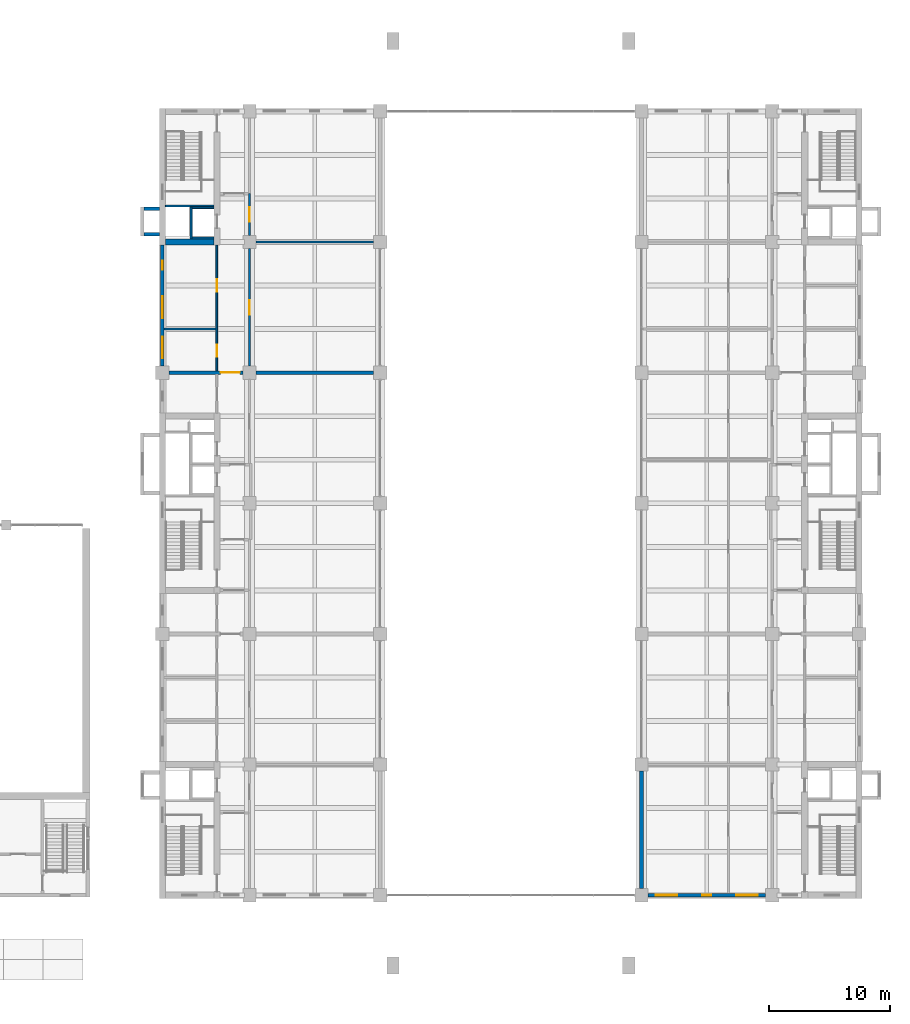
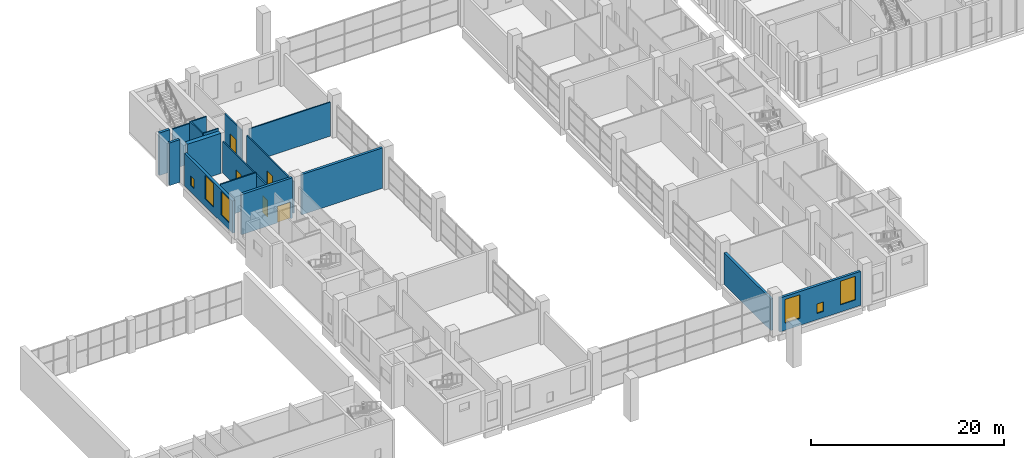
# One storey, part 20 of 33: 17 walls, 6 windows, 5 doors, 11 openings.
"""IFC4 building model written with IfcOpenShell, lengths in metres."""

from ifc_helpers import new_model, si_unit, direction, frame, frame_2d, origin, place, context, subcontext, project, spatial, rectangle, extrude, material, layer, layer_set, type_object, element, fill, save


model = new_model("IFC4")

# Units and contexts
model_context = context("Model", 3, precision=1e-05, world=origin(), true_north=direction((0.0, 1.0)))
body_context = subcontext(model_context, "Body", "Model", "MODEL_VIEW")
ifc_project = project(units=[si_unit("LENGTHUNIT", "METRE"), si_unit("AREAUNIT", "SQUARE_METRE"), si_unit("VOLUMEUNIT", "CUBIC_METRE"), si_unit("PLANEANGLEUNIT", "RADIAN"), si_unit("MASSUNIT", "GRAM", prefix="KILO")], contexts=[model_context])

# Site, building, storey
site_placement = place(None, origin())
site = spatial("IfcSite", under=ifc_project, at=site_placement, CompositionType="ELEMENT")
building_placement = place(site_placement, origin())
building = spatial("IfcBuilding", under=site, at=building_placement, Name="Basin Gate Institute", CompositionType="ELEMENT")
storey_placement = place(building_placement, frame((0.0, 0.0, 6.0)))
storey = spatial("IfcBuildingStorey", under=building, at=storey_placement, Name="L01", CompositionType="ELEMENT", Elevation=6.0)

# Wall
ifc_material_1 = material(Name="Fire-resisting board wall assembly")
ifc_layer_1 = layer(ifc_material_1, 0.300048828125)
ifc_layer_set_1 = layer_set([ifc_layer_1], Name="Atrium enclosure wall EW4")
wall_type_1 = type_object("IfcWallType", Name="Atrium enclosure wall EW4", PredefinedType="STANDARD", material=ifc_layer_set_1)
wall_1_placement = place(storey_placement, frame((100.800048828125, 35.64990234375, 0.0), z_axis=(0.0, 0.0, 1.0), x_axis=(0.0, 1.0, 0.0)))
element("IfcWall", 1, at=wall_1_placement, inside=storey, type_object=wall_type_1, material=ifc_layer_set_1, Name="Atrium enclosure wall E wing bay 1 L01", PredefinedType="STANDARD", context=body_context, shape_type="SweptSolid", body=[
    extrude(rectangle(XDim=9.7001953125, YDim=0.300048828125, at=frame_2d((4.85009765625, 0.0))), origin(), (0.0, 0.0, 1.0), 4.0),
])

# Wall, openings, windows
ifc_material_2 = material(Name="Aluminium-faced insulated panel wall", Category="aluminium")
ifc_layer_2 = layer(ifc_material_2, 0.300048828125)
ifc_layer_set_2 = layer_set([ifc_layer_2], Name="External wall EW1 EI 120")
wall_type_2 = type_object("IfcWallType", Name="External wall EW1 EI 120", PredefinedType="STANDARD", material=ifc_layer_set_2)
wall_2_placement = place(storey_placement, frame((61.199951171875, 78.85009765625, 0.0), z_axis=(0.0, 0.0, 1.0), x_axis=(0.0, 1.0, 0.0)))
wall_2 = element("IfcWall", 2, at=wall_2_placement, inside=storey, type_object=wall_type_2, material=ifc_layer_set_2, Name="External wall W facade L01 4", PredefinedType="STANDARD", context=body_context, shape_type="SweptSolid", body=[
    extrude(rectangle(XDim=10.0, YDim=0.300048828125, at=frame_2d((5.0, 0.0))), origin(), (0.0, 0.0, 1.0), 4.10009765625),
])
opening_1_placement = place(wall_2_placement, frame((0.625, 0.0, 0.89990234375)))
opening_1 = element("IfcOpeningElement", 3, at=opening_1_placement, cuts=wall_2, Name="Opening WN2", PredefinedType="OPENING", context=body_context, shape_type="SweptSolid", body=[
    extrude(rectangle(XDim=1.800048828125, YDim=3.0, at=frame_2d((0.89990234375, 1.5))), frame((0.0, 0.16015625, 0.0), z_axis=(0.0, -1.0, 0.0), x_axis=(1.0, 0.0, 0.0)), (0.0, 0.0, 1.0), 0.320068359375),
])
opening_2_placement = place(wall_2_placement, frame((3.949951171875, 0.0, 0.89990234375)))
opening_2 = element("IfcOpeningElement", 4, at=opening_2_placement, cuts=wall_2, Name="Opening WN2", PredefinedType="OPENING", context=body_context, shape_type="SweptSolid", body=[
    extrude(rectangle(XDim=1.800048828125, YDim=3.0, at=frame_2d((0.89990234375, 1.5))), frame((0.0, 0.16015625, 0.0), z_axis=(0.0, -1.0, 0.0), x_axis=(1.0, 0.0, 0.0)), (0.0, 0.0, 1.0), 0.320068359375),
])
opening_3_placement = place(wall_2_placement, frame((7.949951171875, 0.0, 0.800048828125)))
opening_3 = element("IfcOpeningElement", 5, at=opening_3_placement, cuts=wall_2, Name="Opening WN3", PredefinedType="OPENING", context=body_context, shape_type="SweptSolid", body=[
    extrude(rectangle(XDim=0.75, YDim=1.199951171875, at=frame_2d((0.375, 0.60009765625))), frame((0.0, 0.16015625, 0.0), z_axis=(0.0, -1.0, 0.0), x_axis=(1.0, 0.0, 0.0)), (0.0, 0.0, 1.0), 0.320068359375),
])
ifc_material_3 = material(Name="Aluminium-framed double glazing", Category="aluminium")
window_type_1 = type_object("IfcWindowType", Name="Emergency entry panel WN3", PartitioningType="SINGLE_PANEL", PredefinedType="WINDOW", material=ifc_material_3)
window_1_placement = place(opening_3_placement, origin())
window_1 = element("IfcWindow", 6, at=window_1_placement, inside=storey, type_object=window_type_1, material=ifc_material_3, Name="Emergency entry panel W facade L01 bay 15", OverallHeight=1.199951171875, OverallWidth=0.75, PartitioningType="SINGLE_PANEL", PredefinedType="WINDOW", context=body_context, shape_type="SweptSolid", body=[
    extrude(rectangle(XDim=0.75, YDim=1.199951171875, at=frame_2d((0.375, 0.60009765625))), frame((0.0, 0.030029296875, 0.0), z_axis=(0.0, -1.0, 0.0), x_axis=(1.0, 0.0, 0.0)), (0.0, 0.0, 1.0), 0.06005859375),
])
fill(opening_3, window_1)
ifc_material_4 = material(Name="Aluminium-framed double glazing", Category="aluminium")
window_type_2 = type_object("IfcWindowType", Name="Podium window WN2", PartitioningType="SINGLE_PANEL", PredefinedType="WINDOW", material=ifc_material_4)
window_2_placement = place(opening_1_placement, origin())
window_2 = element("IfcWindow", 7, at=window_2_placement, inside=storey, type_object=window_type_2, material=ifc_material_4, Name="Podium window W facade L01 bay 13", OverallHeight=3.0, OverallWidth=1.800048828125, PartitioningType="SINGLE_PANEL", PredefinedType="WINDOW", context=body_context, shape_type="SweptSolid", body=[
    extrude(rectangle(XDim=1.800048828125, YDim=3.0, at=frame_2d((0.89990234375, 1.5))), frame((0.0, 0.030029296875, 0.0), z_axis=(0.0, -1.0, 0.0), x_axis=(1.0, 0.0, 0.0)), (0.0, 0.0, 1.0), 0.06005859375),
])
fill(opening_1, window_2)
window_3_placement = place(opening_2_placement, origin())
window_3 = element("IfcWindow", 8, at=window_3_placement, inside=storey, type_object=window_type_2, material=ifc_material_4, Name="Podium window W facade L01 bay 14", OverallHeight=3.0, OverallWidth=1.800048828125, PartitioningType="SINGLE_PANEL", PredefinedType="WINDOW", context=body_context, shape_type="SweptSolid", body=[
    extrude(rectangle(XDim=1.800048828125, YDim=3.0, at=frame_2d((0.89990234375, 1.5))), frame((0.0, 0.030029296875, 0.0), z_axis=(0.0, -1.0, 0.0), x_axis=(1.0, 0.0, 0.0)), (0.0, 0.0, 1.0), 0.06005859375),
])
fill(opening_2, window_3)

wall_3_placement = place(storey_placement, frame((111.050048828125, 35.10009765625, 0.0), z_axis=(0.0, 0.0, 1.0), x_axis=(-1.0, 0.0, 0.0)))
wall_3 = element("IfcWall", 9, at=wall_3_placement, inside=storey, type_object=wall_type_2, material=ifc_layer_set_2, Name="External end wall E wing south L01 2", PredefinedType="STANDARD", context=body_context, shape_type="SweptSolid", body=[
    extrude(rectangle(XDim=9.699951171875, YDim=0.300048828125, at=frame_2d((4.85009765625, 0.0))), origin(), (0.0, 0.0, 1.0), 4.300048828125),
])
opening_4_placement = place(wall_3_placement, frame((0.625, 0.0, 0.89990234375)))
opening_4 = element("IfcOpeningElement", 10, at=opening_4_placement, cuts=wall_3, Name="Opening WN2", PredefinedType="OPENING", context=body_context, shape_type="SweptSolid", body=[
    extrude(rectangle(XDim=1.800048828125, YDim=3.0, at=frame_2d((0.89990234375, 1.5))), frame((0.0, 0.16015625, 0.0), z_axis=(0.0, -1.0, 0.0), x_axis=(1.0, 0.0, 0.0)), (0.0, 0.0, 1.0), 0.320068359375),
])
opening_5_placement = place(wall_3_placement, frame((4.47509765625, 0.0, 0.800048828125)))
opening_5 = element("IfcOpeningElement", 11, at=opening_5_placement, cuts=wall_3, Name="Opening WN3", PredefinedType="OPENING", context=body_context, shape_type="SweptSolid", body=[
    extrude(rectangle(XDim=0.75, YDim=1.199951171875, at=frame_2d((0.375, 0.60009765625))), frame((0.0, 0.16015625, 0.0), z_axis=(0.0, -1.0, 0.0), x_axis=(1.0, 0.0, 0.0)), (0.0, 0.0, 1.0), 0.320068359375),
])
opening_6_placement = place(wall_3_placement, frame((7.27490234375, 0.0, 0.89990234375)))
opening_6 = element("IfcOpeningElement", 12, at=opening_6_placement, cuts=wall_3, Name="Opening WN2", PredefinedType="OPENING", context=body_context, shape_type="SweptSolid", body=[
    extrude(rectangle(XDim=1.800048828125, YDim=3.0, at=frame_2d((0.89990234375, 1.5))), frame((0.0, 0.16015625, 0.0), z_axis=(0.0, -1.0, 0.0), x_axis=(1.0, 0.0, 0.0)), (0.0, 0.0, 1.0), 0.320068359375),
])
window_4_placement = place(opening_5_placement, origin())
window_4 = element("IfcWindow", 13, at=window_4_placement, inside=storey, type_object=window_type_1, material=ifc_material_3, Name="Emergency entry panel E wing end S L01 bay 2", OverallHeight=1.199951171875, OverallWidth=0.75, PartitioningType="SINGLE_PANEL", PredefinedType="WINDOW", context=body_context, shape_type="SweptSolid", body=[
    extrude(rectangle(XDim=0.75, YDim=1.199951171875, at=frame_2d((0.375, 0.60009765625))), frame((0.0, 0.030029296875, 0.0), z_axis=(0.0, -1.0, 0.0), x_axis=(1.0, 0.0, 0.0)), (0.0, 0.0, 1.0), 0.06005859375),
])
fill(opening_5, window_4)
window_5_placement = place(opening_4_placement, origin())
window_5 = element("IfcWindow", 14, at=window_5_placement, inside=storey, type_object=window_type_2, material=ifc_material_4, Name="Podium window E wing end S L01 bay 1", OverallHeight=3.0, OverallWidth=1.800048828125, PartitioningType="SINGLE_PANEL", PredefinedType="WINDOW", context=body_context, shape_type="SweptSolid", body=[
    extrude(rectangle(XDim=1.800048828125, YDim=3.0, at=frame_2d((0.89990234375, 1.5))), frame((0.0, 0.030029296875, 0.0), z_axis=(0.0, -1.0, 0.0), x_axis=(1.0, 0.0, 0.0)), (0.0, 0.0, 1.0), 0.06005859375),
])
fill(opening_4, window_5)
window_6_placement = place(opening_6_placement, origin())
window_6 = element("IfcWindow", 15, at=window_6_placement, inside=storey, type_object=window_type_2, material=ifc_material_4, Name="Podium window E wing end S L01 bay 3", OverallHeight=3.0, OverallWidth=1.800048828125, PartitioningType="SINGLE_PANEL", PredefinedType="WINDOW", context=body_context, shape_type="SweptSolid", body=[
    extrude(rectangle(XDim=1.800048828125, YDim=3.0, at=frame_2d((0.89990234375, 1.5))), frame((0.0, 0.030029296875, 0.0), z_axis=(0.0, -1.0, 0.0), x_axis=(1.0, 0.0, 0.0)), (0.0, 0.0, 1.0), 0.06005859375),
])
fill(opening_6, window_6)

# Wall, openings, doors
ifc_material_5 = material(Name="Gypsum board on steel stud", Category="steel")
ifc_layer_3 = layer(ifc_material_5, 0.14990234375)
ifc_layer_set_3 = layer_set([ifc_layer_3], Name="Gypsum board on steel stud")
wall_type_3 = type_object("IfcWallType", Name="Partition PW1 150 EI 60", PredefinedType="PARTITIONING", material=ifc_layer_set_3)
wall_4_placement = place(storey_placement, frame((65.699951171875, 78.449951171875, 0.0), z_axis=(0.0, 0.0, 1.0), x_axis=(0.0, 1.0, 0.0)))
wall_4 = element("IfcWall", 16, at=wall_4_placement, inside=storey, type_object=wall_type_3, material=ifc_layer_set_3, Name="Corridor wall PW1 L01", PredefinedType="PARTITIONING", context=body_context, shape_type="SweptSolid", body=[
    extrude(rectangle(XDim=10.400146484375, YDim=0.14990234375, at=frame_2d((5.2001953125, 0.0))), origin(), (0.0, 0.0, 1.0), 4.0),
])
opening_7_placement = place(wall_4_placement, frame((1.14990234375, 0.0, 0.0)))
opening_7 = element("IfcOpeningElement", 17, at=opening_7_placement, cuts=wall_4, Name="Opening DR083", PredefinedType="OPENING", context=body_context, shape_type="SweptSolid", body=[
    extrude(rectangle(XDim=1.0, YDim=2.10009765625, at=frame_2d((0.5, 1.050048828125))), frame((0.0, 0.0849609375, 0.0), z_axis=(0.0, -1.0, 0.0), x_axis=(1.0, 0.0, 0.0)), (0.0, 0.0, 1.0), 0.169921875),
])
opening_8_placement = place(wall_4_placement, frame((6.550048828125, 0.0, 0.0)))
opening_8 = element("IfcOpeningElement", 18, at=opening_8_placement, cuts=wall_4, Name="Opening DR084", PredefinedType="OPENING", context=body_context, shape_type="SweptSolid", body=[
    extrude(rectangle(XDim=1.0, YDim=2.10009765625, at=frame_2d((0.5, 1.050048828125))), frame((0.0, 0.0849609375, 0.0), z_axis=(0.0, -1.0, 0.0), x_axis=(1.0, 0.0, 0.0)), (0.0, 0.0, 1.0), 0.169921875),
])
ifc_material_6 = material(Name="Timber fire door", Category="wood")
door_type_1 = type_object("IfcDoorType", Name="FD30 Office door D1", OperationType="NOTDEFINED", PredefinedType="DOOR", material=ifc_material_6)
door_1_placement = place(opening_7_placement, origin())
door_1 = element("IfcDoor", 19, at=door_1_placement, inside=storey, type_object=door_type_1, material=ifc_material_6, Name="Door to Write-up Office 0106 L01", OperationType="SINGLE_SWING_LEFT", OverallHeight=2.10009765625, OverallWidth=1.0, PredefinedType="DOOR", context=body_context, shape_type="SweptSolid", body=[
    extrude(rectangle(XDim=1.0, YDim=2.10009765625, at=frame_2d((0.5, 1.050048828125))), frame((0.0, 0.02490234375, 0.0), z_axis=(0.0, -1.0, 0.0), x_axis=(1.0, 0.0, 0.0)), (0.0, 0.0, 1.0), 0.050048828125),
])
fill(opening_7, door_1)
door_2_placement = place(opening_8_placement, origin())
door_2 = element("IfcDoor", 20, at=door_2_placement, inside=storey, type_object=door_type_1, material=ifc_material_6, Name="Door to Write-up Office 0107 L01", OperationType="SINGLE_SWING_RIGHT", OverallHeight=2.10009765625, OverallWidth=1.0, PredefinedType="DOOR", context=body_context, shape_type="SweptSolid", body=[
    extrude(rectangle(XDim=1.0, YDim=2.10009765625, at=frame_2d((0.5, 1.050048828125))), frame((0.0, 0.02490234375, 0.0), z_axis=(0.0, -1.0, 0.0), x_axis=(1.0, 0.0, 0.0)), (0.0, 0.0, 1.0), 0.050048828125),
])
fill(opening_8, door_2)

# Wall, opening, door
wall_5_placement = place(storey_placement, frame((68.39990234375, 78.85009765625, 0.0), z_axis=(0.0, 0.0, 1.0), x_axis=(0.0, 1.0, 0.0)))
wall_5 = element("IfcWall", 21, at=wall_5_placement, inside=storey, type_object=wall_type_3, material=ifc_layer_set_3, Name="Laboratory corridor wall PW1 L01", PredefinedType="PARTITIONING", context=body_context, shape_type="SweptSolid", body=[
    extrude(rectangle(XDim=9.699951171875, YDim=0.14990234375, at=frame_2d((4.85009765625, 0.0))), origin(), (0.0, 0.0, 1.0), 4.0),
])
opening_9_placement = place(wall_5_placement, frame((4.25, 0.0, 0.0)))
opening_9 = element("IfcOpeningElement", 22, at=opening_9_placement, cuts=wall_5, Name="Opening DR078", PredefinedType="OPENING", context=body_context, shape_type="SweptSolid", body=[
    extrude(rectangle(XDim=1.199951171875, YDim=2.10009765625, at=frame_2d((0.60009765625, 1.050048828125))), frame((0.0, 0.0849609375, 0.0), z_axis=(0.0, -1.0, 0.0), x_axis=(1.0, 0.0, 0.0)), (0.0, 0.0, 1.0), 0.169921875),
])
ifc_material_7 = material(Name="Timber fire door", Category="wood")
door_type_2 = type_object("IfcDoorType", Name="FD30 Laboratory door D2", OperationType="DOUBLE_DOOR_SINGLE_SWING", PredefinedType="DOOR", material=ifc_material_7)
door_3_placement = place(opening_9_placement, frame((1.199951171875, 0.0, 0.0), z_axis=(0.0, 0.0, 1.0), x_axis=(-1.0, 0.0, 0.0)))
door_3 = element("IfcDoor", 23, at=door_3_placement, inside=storey, type_object=door_type_2, material=ifc_material_7, Name="Door to Library 0119 L01", OperationType="DOUBLE_DOOR_SINGLE_SWING", OverallHeight=2.10009765625, OverallWidth=1.199951171875, PredefinedType="DOOR", context=body_context, shape_type="SweptSolid", body=[
    extrude(rectangle(XDim=1.199951171875, YDim=2.10009765625, at=frame_2d((0.60009765625, 1.050048828125))), frame((0.0, 0.02490234375, 0.0), z_axis=(0.0, -1.0, 0.0), x_axis=(1.0, 0.0, 0.0)), (0.0, 0.0, 1.0), 0.050048828125),
])
fill(opening_9, door_3)

wall_6_placement = place(storey_placement, frame((68.39990234375, 89.64990234375, 0.0), z_axis=(0.0, 0.0, 1.0), x_axis=(0.0, 1.0, 0.0)))
wall_6 = element("IfcWall", 24, at=wall_6_placement, inside=storey, type_object=wall_type_3, material=ifc_layer_set_3, Name="Laboratory corridor wall PW1 L01", PredefinedType="PARTITIONING", context=body_context, shape_type="SweptSolid", body=[
    extrude(rectangle(XDim=3.4501953125, YDim=0.14990234375, at=frame_2d((1.72509765625, 0.0))), origin(), (0.0, 0.0, 1.0), 4.0),
])
opening_10_placement = place(wall_6_placement, frame((1.125, 0.0, 0.0)))
opening_10 = element("IfcOpeningElement", 25, at=opening_10_placement, cuts=wall_6, Name="Opening DR079", PredefinedType="OPENING", context=body_context, shape_type="SweptSolid", body=[
    extrude(rectangle(XDim=1.199951171875, YDim=2.10009765625, at=frame_2d((0.60009765625, 1.050048828125))), frame((0.0, 0.0849609375, 0.0), z_axis=(0.0, -1.0, 0.0), x_axis=(1.0, 0.0, 0.0)), (0.0, 0.0, 1.0), 0.169921875),
])
door_4_placement = place(opening_10_placement, frame((1.199951171875, 0.0, 0.0), z_axis=(0.0, 0.0, 1.0), x_axis=(-1.0, 0.0, 0.0)))
door_4 = element("IfcDoor", 26, at=door_4_placement, inside=storey, type_object=door_type_2, material=ifc_material_7, Name="Door to Library 0120 L01", OperationType="DOUBLE_DOOR_SINGLE_SWING", OverallHeight=2.10009765625, OverallWidth=1.199951171875, PredefinedType="DOOR", context=body_context, shape_type="SweptSolid", body=[
    extrude(rectangle(XDim=1.199951171875, YDim=2.10009765625, at=frame_2d((0.60009765625, 1.050048828125))), frame((0.0, 0.02490234375, 0.0), z_axis=(0.0, -1.0, 0.0), x_axis=(1.0, 0.0, 0.0)), (0.0, 0.0, 1.0), 0.050048828125),
])
fill(opening_10, door_4)

# Walls
wall_7_placement = place(storey_placement, frame((68.949951171875, 89.10009765625, 0.0), z_axis=(0.0, 0.0, 1.0), x_axis=(1.0, 0.0, 0.0)))
element("IfcWall", 27, at=wall_7_placement, inside=storey, type_object=wall_type_3, material=ifc_layer_set_3, Name="Laboratory partition PW1 L01", PredefinedType="PARTITIONING", context=body_context, shape_type="SweptSolid", body=[
    extrude(rectangle(XDim=9.699951171875, YDim=0.14990234375, at=frame_2d((4.85009765625, 0.0))), origin(), (0.0, 0.0, 1.0), 4.300048828125),
])
ifc_material_8 = material(Name="Gypsum board on steel stud", Category="steel")
ifc_layer_4 = layer(ifc_material_8, 0.14990234375)
ifc_layer_set_4 = layer_set([ifc_layer_4], Name="Gypsum board on steel stud")
wall_type_4 = type_object("IfcWallType", Name="Partition PW4 150", PredefinedType="PARTITIONING", material=ifc_layer_set_4)
wall_8_placement = place(storey_placement, frame((61.35009765625, 81.89990234375, 0.0), z_axis=(0.0, 0.0, 1.0), x_axis=(1.0, 0.0, 0.0)))
element("IfcWall", 28, at=wall_8_placement, inside=storey, type_object=wall_type_4, material=ifc_layer_set_4, Name="Office partition PW4 L01", PredefinedType="PARTITIONING", context=body_context, shape_type="SweptSolid", body=[
    extrude(rectangle(XDim=4.27490234375, YDim=0.14990234375, at=frame_2d((2.137451171875, 0.0))), origin(), (0.0, 0.0, 1.0), 4.300048828125),
])
ifc_material_9 = material(Name="Concrete 40 MPa", Category="concrete")
ifc_layer_5 = layer(ifc_material_9, 0.14990234375)
ifc_layer_set_5 = layer_set([ifc_layer_5], Name="Concrete 40 MPa")
wall_type_5 = type_object("IfcWallType", Name="Wall LS1 lift shaft enclosure R180", PredefinedType="SOLIDWALL", material=ifc_layer_set_5)
wall_9_placement = place(storey_placement, frame((63.574951171875, 92.0, 0.0), z_axis=(0.0, 0.0, 1.0), x_axis=(0.0, -1.0, 0.0)))
element("IfcWall", 29, at=wall_9_placement, inside=storey, type_object=wall_type_5, material=ifc_layer_set_5, Name="Lift shaft enclosure LP3 L01 UL", PredefinedType="SOLIDWALL", context=body_context, shape_type="SweptSolid", body=[
    extrude(rectangle(XDim=2.64990234375, YDim=0.14990234375, at=frame_2d((1.324951171875, 0.0))), origin(), (0.0, 0.0, 1.0), 5.39990234375),
])
for number, where, z_axis, x_axis, name in (
    (30, (63.64990234375, 91.925048828125, 0.0), (0.0, 0.0, 1.0), (1.0, 0.0, 0.0), "Lift shaft enclosure LP3 L01 RL"),
    (31, (63.64990234375, 89.425048828125, 0.0), (0.0, 0.0, 1.0), (1.0, 0.0, 0.0), "Lift shaft enclosure LP3 L01 RH"),
):
    element("IfcWall", number, at=place(storey_placement, frame(where, z_axis=z_axis, x_axis=x_axis)), inside=storey, type_object=wall_type_5, material=ifc_layer_set_5, Name=name, PredefinedType="SOLIDWALL", context=body_context, shape_type="SweptSolid", body=[
        extrude(rectangle(XDim=1.800048828125, YDim=0.14990234375, at=frame_2d((0.89990234375, 0.0))), origin(), (0.0, 0.0, 1.0), 5.39990234375),
    ])
ifc_material_10 = material(Name="Concrete 40 MPa", Category="concrete")
ifc_layer_6 = layer(ifc_material_10, 0.14990234375)
ifc_layer_set_6 = layer_set([ifc_layer_6], Name="Concrete 40 MPa")
wall_type_6 = type_object("IfcWallType", Name="Wall SE1 stair enclosure R180", PredefinedType="SOLIDWALL", material=ifc_layer_set_6)
wall_10_placement = place(storey_placement, frame((61.449951171875, 92.074951171875, 0.0), z_axis=(0.0, 0.0, 1.0), x_axis=(1.0, 0.0, 0.0)))
element("IfcWall", 32, at=wall_10_placement, inside=storey, type_object=wall_type_6, material=ifc_layer_set_6, Name="Stair enclosure wall ST-WN L01", PredefinedType="SOLIDWALL", context=body_context, shape_type="SweptSolid", body=[
    extrude(rectangle(XDim=4.0, YDim=0.14990234375, at=frame_2d((2.0, 0.0))), origin(), (0.0, 0.0, 1.0), 5.10009765625),
])
ifc_material_11 = material(Name="Concrete 50 MPa", Category="concrete")
ifc_layer_7 = layer(ifc_material_11, 0.300048828125)
ifc_layer_set_7 = layer_set([ifc_layer_7], Name="Concrete 50 MPa")
wall_type_7 = type_object("IfcWallType", Name="Wall SK1 R180", PredefinedType="SHEAR", material=ifc_layer_set_7)
for number, where, z_axis, x_axis, name in (
    (33, (60.949951171875, 89.75, 0.0), (0.0, 0.0, 1.0), (-1.0, 0.0, 0.0), "Spine riser stack wall SK1 WN A L01"),
    (34, (60.949951171875, 91.85009765625, 0.0), (0.0, 0.0, 1.0), (-1.0, 0.0, 0.0), "Spine riser stack wall SK1 WN B L01"),
):
    element("IfcWall", number, at=place(storey_placement, frame(where, z_axis=z_axis, x_axis=x_axis)), inside=storey, type_object=wall_type_7, material=ifc_layer_set_7, Name=name, PredefinedType="SHEAR", context=body_context, shape_type="SweptSolid", body=[
        extrude(rectangle(XDim=1.25, YDim=0.300048828125, at=frame_2d((0.625, 0.0))), origin(), (0.0, 0.0, 1.0), 5.39990234375),
    ])
ifc_material_12 = material(Name="Concrete 60 MPa", Category="concrete")
ifc_layer_8 = layer(ifc_material_12, 0.5)
ifc_layer_set_8 = layer_set([ifc_layer_8], Name="Concrete 60 MPa")
wall_type_8 = type_object("IfcWallType", Name="Wall SW1 R180", PredefinedType="SHEAR", material=ifc_layer_set_8)
wall_11_placement = place(storey_placement, frame((61.449951171875, 89.10009765625, 0.0), z_axis=(0.0, 0.0, 1.0), x_axis=(1.0, 0.0, 0.0)))
element("IfcWall", 35, at=wall_11_placement, inside=storey, type_object=wall_type_8, material=ifc_layer_set_8, Name="WALL/L01/WN/S", PredefinedType="SHEAR", context=body_context, shape_type="SweptSolid", body=[
    extrude(rectangle(XDim=4.0, YDim=0.5, at=frame_2d((2.0, 0.0))), origin(), (0.0, 0.0, 1.0), 5.10009765625),
])

# Wall, opening, door
ifc_material_13 = material(Name="Concrete 50 MPa", Category="concrete")
ifc_layer_9 = layer(ifc_material_13, 0.300048828125)
ifc_layer_set_9 = layer_set([ifc_layer_9], Name="Concrete 50 MPa")
wall_type_9 = type_object("IfcWallType", Name="Wall XW1 R180", PredefinedType="SHEAR", material=ifc_layer_set_9)
wall_12_placement = place(storey_placement, frame((61.75, 78.300048828125, 0.0), z_axis=(0.0, 0.0, 1.0), x_axis=(1.0, 0.0, 0.0)))
wall_12 = element("IfcWall", 36, at=wall_12_placement, inside=storey, type_object=wall_type_9, material=ifc_layer_set_9, Name="WALL/L01/WXE/1", PredefinedType="SHEAR", context=body_context, shape_type="SweptSolid", body=[
    extrude(rectangle(XDim=6.10009765625, YDim=0.300048828125, at=frame_2d((3.050048828125, 0.0))), origin(), (0.0, 0.0, 1.0), 5.10009765625),
])
opening_11_placement = place(wall_12_placement, frame((4.262451171875, 0.0, 0.0)))
opening_11 = element("IfcOpeningElement", 37, at=opening_11_placement, cuts=wall_12, Name="Opening DR091", PredefinedType="OPENING", context=body_context, shape_type="SweptSolid", body=[
    extrude(rectangle(XDim=1.60009765625, YDim=2.10009765625, at=frame_2d((0.800048828125, 1.050048828125))), frame((0.0, 0.16015625, 0.0), z_axis=(0.0, -1.0, 0.0), x_axis=(1.0, 0.0, 0.0)), (0.0, 0.0, 1.0), 0.320068359375),
])
ifc_material_14 = material(Name="Steel fire door", Category="steel")
door_type_3 = type_object("IfcDoorType", Name="FD60 Compartment door pair D7", OperationType="DOUBLE_DOOR_SINGLE_SWING", PredefinedType="DOOR", material=ifc_material_14)
door_5_placement = place(opening_11_placement, frame((1.60009765625, 0.0, 0.0), z_axis=(0.0, 0.0, 1.0), x_axis=(-1.0, 0.0, 0.0)))
door_5 = element("IfcDoor", 38, at=door_5_placement, inside=storey, type_object=door_type_3, material=ifc_material_14, Name="Compartment door pair L01 W2 L01", OperationType="DOUBLE_DOOR_SINGLE_SWING", OverallHeight=2.10009765625, OverallWidth=1.60009765625, PredefinedType="DOOR", context=body_context, shape_type="SweptSolid", body=[
    extrude(rectangle(XDim=1.60009765625, YDim=2.10009765625, at=frame_2d((0.800048828125, 1.050048828125))), frame((0.0, 0.02490234375, 0.0), z_axis=(0.0, -1.0, 0.0), x_axis=(1.0, 0.0, 0.0)), (0.0, 0.0, 1.0), 0.050048828125),
])
fill(opening_11, door_5)

# Wall
wall_13_placement = place(storey_placement, frame((68.949951171875, 78.300048828125, 0.0), z_axis=(0.0, 0.0, 1.0), x_axis=(1.0, 0.0, 0.0)))
element("IfcWall", 39, at=wall_13_placement, inside=storey, type_object=wall_type_9, material=ifc_layer_set_9, Name="WALL/L01/WXE/2", PredefinedType="SHEAR", context=body_context, shape_type="SweptSolid", body=[
    extrude(rectangle(XDim=9.699951171875, YDim=0.300048828125, at=frame_2d((4.85009765625, 0.0))), origin(), (0.0, 0.0, 1.0), 5.10009765625),
])

save(model, "model.ifc")
